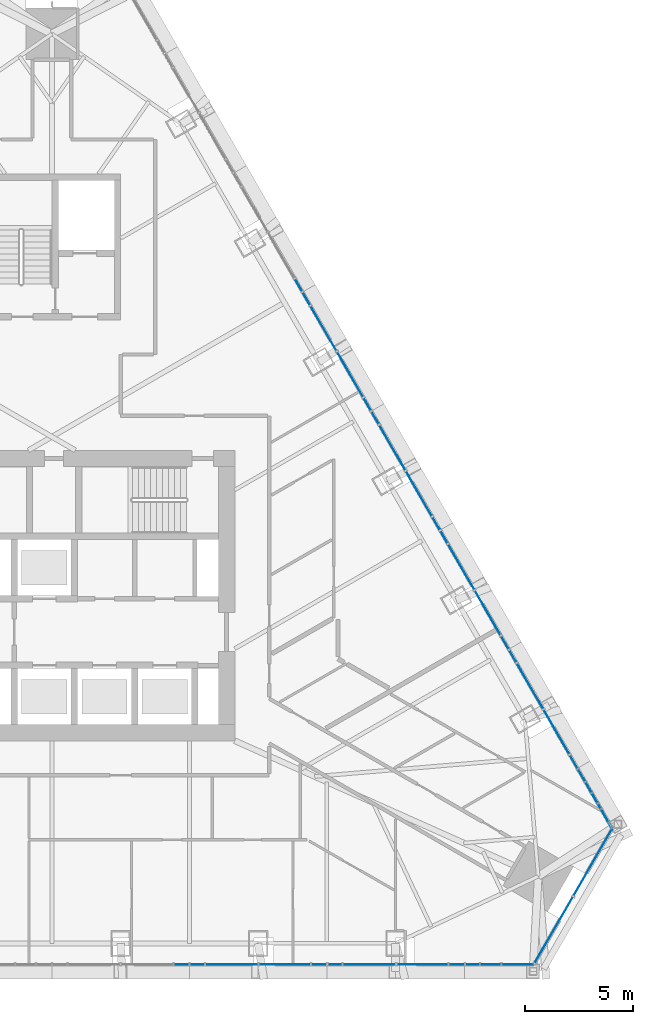
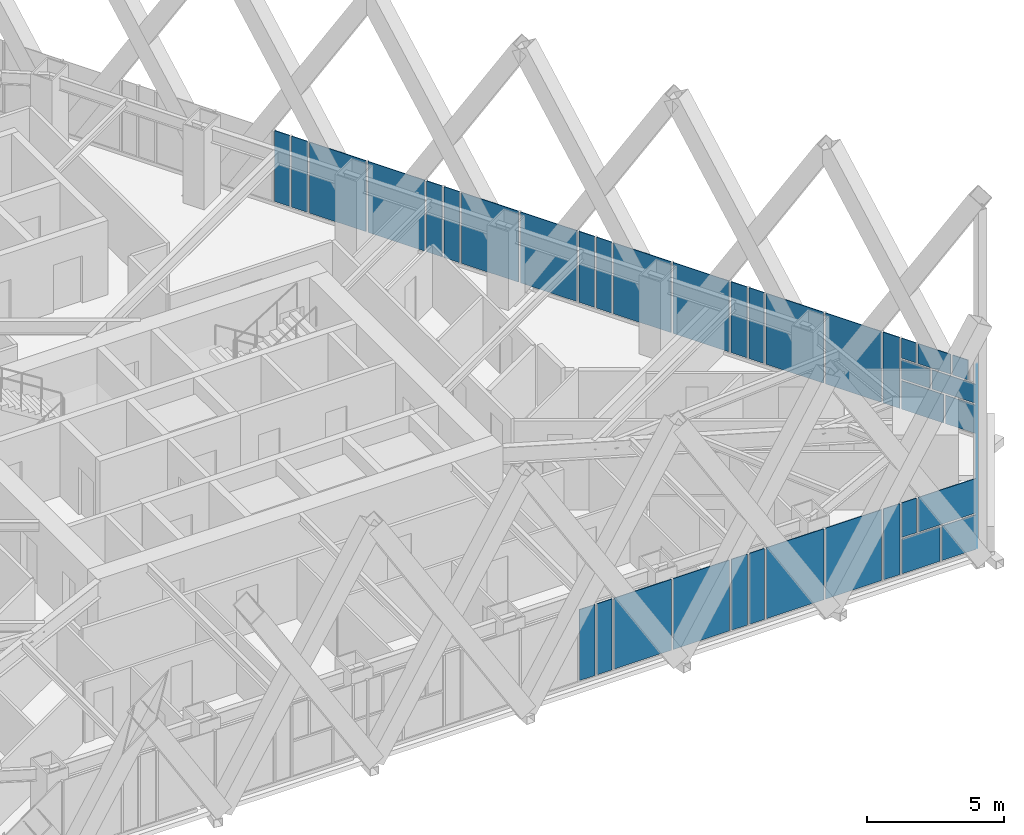
# One storey, part 12 of 21: 39 plates, 3 elements without a shape of their own.
"""IFC4 building model written with IfcOpenShell, lengths in metres."""

from ifc_helpers import new_model, si_unit, direction, frame, origin, place, context, subcontext, project, spatial, polyline, outline, extrude, material, layer, layer_set, type_object, element, aggregate, save


model = new_model("IFC4")

# Units and contexts
model_context = context("Model", 3, precision=1e-05, world=origin(), true_north=direction((0.0, 1.0)))
body_context = subcontext(model_context, "Body", "Model", "MODEL_VIEW")
ifc_project = project(units=[si_unit("LENGTHUNIT", "METRE"), si_unit("AREAUNIT", "SQUARE_METRE"), si_unit("VOLUMEUNIT", "CUBIC_METRE"), si_unit("PLANEANGLEUNIT", "RADIAN"), si_unit("MASSUNIT", "GRAM", prefix="KILO")], contexts=[model_context])

# Site, building, storey
site_placement = place(None, origin())
site = spatial("IfcSite", under=ifc_project, at=site_placement, CompositionType="ELEMENT")
building_placement = place(site_placement, origin())
building = spatial("IfcBuilding", under=site, at=building_placement, Name="Firuza Gate Tower and Library", CompositionType="ELEMENT")
storey_placement = place(building_placement, frame((0.0, 0.0, 281.10009765625)))
storey = spatial("IfcBuildingStorey", under=building, at=storey_placement, Name="L67", CompositionType="ELEMENT", Elevation=281.10009765625)

# Curtain wall, plates
ifc_material_1 = material(Name="Aluminium 6063-T6", Category="aluminium")
ifc_layer_1 = layer(ifc_material_1, 0.14990234375)
ifc_layer_set_1 = layer_set([ifc_layer_1], Name="Corner curtain wall, chamfers")
curtain_wall_type_1 = type_object("IfcCurtainWallType", Name="Corner curtain wall, chamfers", PredefinedType="NOTDEFINED", material=ifc_layer_set_1)
placement = place(storey_placement, origin())
curtain_wall_1 = element("IfcCurtainWall", 1, at=placement, inside=storey, type_object=curtain_wall_type_1, Name="CW4 L67 SE corner", PredefinedType="NOTDEFINED")
ifc_material_2 = material(Name="Fritted glass", Category="glass")
ifc_layer_2 = layer(ifc_material_2, 0.030029296875)
ifc_layer_set_2 = layer_set([ifc_layer_2], Name="Fritted glass unit, corners")
plate_type_1 = type_object("IfcPlateType", Name="Fritted glass unit, corners", PredefinedType="CURTAIN_PANEL", material=ifc_layer_set_2)
plate_1_placement = place(storey_placement, frame((97.43896484375, 57.884033203125, 0.14990234375), z_axis=(0.866016723041, -0.500015035186, 0.0), x_axis=(0.500015035186, 0.866016723041, 0.0)))
plate_1 = element("IfcPlate", 2, at=plate_1_placement, type_object=plate_type_1, Name="Glass unit", PredefinedType="CURTAIN_PANEL", context=body_context, shape_type="SweptSolid", body=[
    extrude(outline(polyline([(0.0, 0.0), (3.5633694106530625, 0.0), (3.5633694106530625, 3.14990234375), (0.0, 3.14990234375), (0.0, 0.0)])), origin(), (0.0, 0.0, -1.0), 0.030029296875),
])
plate_2_placement = place(storey_placement, frame((99.260498046875, 61.039306640625, 0.14990234375), z_axis=(0.866016723041, -0.500015035186, 0.0), x_axis=(0.500015035186, 0.866016723041, 0.0)))
plate_2 = element("IfcPlate", 3, at=plate_2_placement, type_object=plate_type_1, Name="Glass unit", PredefinedType="CURTAIN_PANEL", context=body_context, shape_type="SweptSolid", body=[
    extrude(outline(polyline([(0.0, 0.0), (3.5633694106530625, 0.0), (3.5633694106530625, 3.14990234375), (0.0, 3.14990234375), (0.0, 0.0)])), origin(), (0.0, 0.0, -1.0), 0.030029296875),
])
aggregate(curtain_wall_1, [plate_1, plate_2])

ifc_material_3 = material(Name="Aluminium 6063-T6", Category="aluminium")
ifc_layer_3 = layer(ifc_material_3, 0.14990234375)
ifc_layer_set_3 = layer_set([ifc_layer_3], Name="Unitised curtain wall, residences")
curtain_wall_type_2 = type_object("IfcCurtainWallType", Name="Unitised curtain wall, residences", PredefinedType="NOTDEFINED", material=ifc_layer_set_3)
curtain_wall_2 = element("IfcCurtainWall", 4, at=placement, inside=storey, type_object=curtain_wall_type_2, Name="CW3 L67 S face", PredefinedType="NOTDEFINED")
ifc_material_4 = material(Name="Fritted glass", Category="glass")
ifc_layer_4 = layer(ifc_material_4, 0.030029296875)
ifc_layer_set_4 = layer_set([ifc_layer_4], Name="Fritted glass unit, residences")
plate_type_2 = type_object("IfcPlateType", Name="Fritted glass unit, residences", PredefinedType="CURTAIN_PANEL", material=ifc_layer_set_4)
plate_3_placement = place(storey_placement, frame((80.697509765625, 57.842041015625, 0.14990234375), z_axis=(0.0, -1.0, 0.0), x_axis=(1.0, 0.0, 0.0)))
plate_3 = element("IfcPlate", 5, at=plate_3_placement, type_object=plate_type_2, Name="Glass unit", PredefinedType="CURTAIN_PANEL", context=body_context, shape_type="SweptSolid", body=[
    extrude(outline(polyline([(0.0, 0.0), (0.664306640625, 0.0), (0.664306640625, 3.14990234375), (0.0, 3.14990234375), (0.0, 0.0)])), origin(), (0.0, 0.0, -1.0), 0.030029296875),
])
plate_4_placement = place(storey_placement, frame((81.441650390625, 57.842041015625, 0.14990234375), z_axis=(0.0, -1.0, 0.0), x_axis=(1.0, 0.0, 0.0)))
plate_4 = element("IfcPlate", 6, at=plate_4_placement, type_object=plate_type_2, Name="Glass unit", PredefinedType="CURTAIN_PANEL", context=body_context, shape_type="SweptSolid", body=[
    extrude(outline(polyline([(0.0, 0.0), (0.6396484375, 0.0), (0.6396484375, 3.14990234375), (0.0, 3.14990234375), (0.0, 0.0)])), origin(), (0.0, 0.0, -1.0), 0.030029296875),
])
plate_5_placement = place(storey_placement, frame((87.086669921875, 57.842041015625, 0.14990234375), z_axis=(0.0, -1.0, 0.0), x_axis=(1.0, 0.0, 0.0)))
plate_5 = element("IfcPlate", 7, at=plate_5_placement, type_object=plate_type_2, Name="Glass unit", PredefinedType="CURTAIN_PANEL", context=body_context, shape_type="SweptSolid", body=[
    extrude(outline(polyline([(0.0, 0.0), (0.6767578125, 0.0), (0.6767578125, 3.14990234375), (0.0, 3.14990234375), (0.0, 0.0)])), origin(), (0.0, 0.0, -1.0), 0.030029296875),
])
plate_6_placement = place(storey_placement, frame((87.843505859375, 57.842041015625, 0.14990234375), z_axis=(0.0, -1.0, 0.0), x_axis=(1.0, 0.0, 0.0)))
plate_6 = element("IfcPlate", 8, at=plate_6_placement, type_object=plate_type_2, Name="Glass unit", PredefinedType="CURTAIN_PANEL", context=body_context, shape_type="SweptSolid", body=[
    extrude(outline(polyline([(0.0, 0.0), (0.626953125, 0.0), (0.626953125, 3.14990234375), (0.0, 3.14990234375), (0.0, 0.0)])), origin(), (0.0, 0.0, -1.0), 0.030029296875),
])
plate_7_placement = place(storey_placement, frame((93.47607421875, 57.842041015625, 0.14990234375), z_axis=(0.0, -1.0, 0.0), x_axis=(1.0, 0.0, 0.0)))
plate_7 = element("IfcPlate", 9, at=plate_7_placement, type_object=plate_type_2, Name="Glass unit", PredefinedType="CURTAIN_PANEL", context=body_context, shape_type="SweptSolid", body=[
    extrude(outline(polyline([(0.0, 0.0), (0.68896484375, 0.0), (0.68896484375, 3.14990234375), (0.0, 3.14990234375), (0.0, 0.0)])), origin(), (0.0, 0.0, -1.0), 0.030029296875),
])
plate_8_placement = place(storey_placement, frame((94.2451171875, 57.842041015625, 0.14990234375), z_axis=(0.0, -1.0, 0.0), x_axis=(1.0, 0.0, 0.0)))
plate_8 = element("IfcPlate", 10, at=plate_8_placement, type_object=plate_type_2, Name="Glass unit", PredefinedType="CURTAIN_PANEL", context=body_context, shape_type="SweptSolid", body=[
    extrude(outline(polyline([(0.0, 0.0), (1.597412109375, 0.0), (1.597412109375, 1.534912109375), (0.0, 1.534912109375), (0.0, 0.0)])), origin(), (0.0, 0.0, -1.0), 0.030029296875),
])
plate_9_placement = place(storey_placement, frame((94.2451171875, 57.842041015625, 1.764892578125), z_axis=(0.0, -1.0, 0.0), x_axis=(1.0, 0.0, 0.0)))
plate_9 = element("IfcPlate", 11, at=plate_9_placement, type_object=plate_type_2, Name="Glass unit", PredefinedType="CURTAIN_PANEL", context=body_context, shape_type="SweptSolid", body=[
    extrude(outline(polyline([(0.0, 0.0), (0.61474609375, 0.0), (0.61474609375, 1.534912109375), (0.0, 1.534912109375), (0.0, 0.0)])), origin(), (0.0, 0.0, -1.0), 0.030029296875),
])

curtain_wall_3 = element("IfcCurtainWall", 12, at=placement, inside=storey, type_object=curtain_wall_type_2, Name="CW3 L67 E face", PredefinedType="NOTDEFINED")
plate_10_placement = place(storey_placement, frame((100.3642578125, 65.3837890625, 0.14990234375), z_axis=(0.866072721334, 0.499918034643, 0.0), x_axis=(-0.499918034643, 0.866072721334, 0.0)))
plate_10 = element("IfcPlate", 13, at=plate_10_placement, type_object=plate_type_2, Name="Glass unit", PredefinedType="CURTAIN_PANEL", context=body_context, shape_type="SweptSolid", body=[
    extrude(outline(polyline([(0.0, 0.0), (1.76493776500763, 0.0), (1.76493776500763, 1.260009765625), (0.0, 1.260009765625), (0.0, 0.0)])), origin(), (0.0, 0.0, -1.0), 0.030029296875),
])
plate_11_placement = place(storey_placement, frame((100.082763671875, 65.871337890625, 1.489990234375), z_axis=(0.866097652278, 0.499874841054, 0.0), x_axis=(-0.499874841054, 0.866097652278, 0.0)))
plate_11 = element("IfcPlate", 14, at=plate_11_placement, type_object=plate_type_2, Name="Glass unit", PredefinedType="CURTAIN_PANEL", context=body_context, shape_type="SweptSolid", body=[
    extrude(outline(polyline([(0.0, 0.0), (1.2019610286002764, 0.0), (1.2019610286002764, 0.844970703125), (0.0, 0.844970703125), (0.0, 0.0)])), origin(), (0.0, 0.0, -1.0), 0.030029296875),
])
plate_12_placement = place(storey_placement, frame((100.876708984375, 64.496337890625, 2.414794921875), z_axis=(0.866028486751, 0.499994660107, 0.0), x_axis=(-0.499994660107, 0.866028486751, 0.0)))
plate_12 = element("IfcPlate", 15, at=plate_12_placement, type_object=plate_type_2, Name="Glass unit", PredefinedType="CURTAIN_PANEL", context=body_context, shape_type="SweptSolid", body=[
    extrude(outline(polyline([(0.0, 0.0), (0.6469795658534333, 0.0), (0.6469795658534333, 0.885009765625), (0.0, 0.885009765625), (0.0, 0.0)])), origin(), (0.0, 0.0, -1.0), 0.030029296875),
])
plate_13_placement = place(storey_placement, frame((99.789306640625, 66.3798828125, 2.414794921875), z_axis=(0.866059952115, 0.49994015576, 0.0), x_axis=(-0.49994015576, 0.866059952115, 0.0)))
plate_13 = element("IfcPlate", 16, at=plate_13_placement, type_object=plate_type_2, Name="Glass unit", PredefinedType="CURTAIN_PANEL", context=body_context, shape_type="SweptSolid", body=[
    extrude(outline(polyline([(0.0, 0.0), (0.6148196805825695, 0.0), (0.6148196805825695, 0.885009765625), (0.0, 0.885009765625), (0.0, 0.0)])), origin(), (0.0, 0.0, -1.0), 0.030029296875),
])
plate_14_placement = place(storey_placement, frame((99.44189453125, 66.9814453125, 0.14990234375), z_axis=(0.866032163869, 0.499988291006, 0.0), x_axis=(-0.499988291006, 0.866032163869, 0.0)))
plate_14 = element("IfcPlate", 17, at=plate_14_placement, type_object=plate_type_2, Name="Glass unit", PredefinedType="CURTAIN_PANEL", context=body_context, shape_type="SweptSolid", body=[
    extrude(outline(polyline([(0.0, 0.0), (0.6889809782976328, 0.0), (0.6889809782976328, 3.14990234375), (0.0, 3.14990234375), (0.0, 0.0)])), origin(), (0.0, 0.0, -1.0), 0.030029296875),
])
plate_15_placement = place(storey_placement, frame((96.594482421875, 71.9130859375, 0.14990234375), z_axis=(0.866127254354, 0.49982354813, 0.0), x_axis=(-0.49982354813, 0.866127254354, 0.0)))
plate_15 = element("IfcPlate", 18, at=plate_15_placement, type_object=plate_type_2, Name="Glass unit", PredefinedType="CURTAIN_PANEL", context=body_context, shape_type="SweptSolid", body=[
    extrude(outline(polyline([(0.0, 0.0), (0.6271744572110576, 0.0), (0.6271744572110576, 3.14990234375), (0.0, 3.14990234375), (0.0, 0.0)])), origin(), (0.0, 0.0, -1.0), 0.030029296875),
])
plate_16_placement = place(storey_placement, frame((96.240966796875, 72.525634765625, 0.14990234375), z_axis=(0.865969252911, 0.500097243556, 0.0), x_axis=(-0.500097243556, 0.865969252911, 0.0)))
plate_16 = element("IfcPlate", 19, at=plate_16_placement, type_object=plate_type_2, Name="Glass unit", PredefinedType="CURTAIN_PANEL", context=body_context, shape_type="SweptSolid", body=[
    extrude(outline(polyline([(0.0, 0.0), (0.6766262174208122, 0.0), (0.6766262174208122, 3.14990234375), (0.0, 3.14990234375), (0.0, 0.0)])), origin(), (0.0, 0.0, -1.0), 0.030029296875),
])
plate_17_placement = place(storey_placement, frame((93.39990234375, 77.446533203125, 0.14990234375), z_axis=(0.865931220513, 0.500163094741, 0.0), x_axis=(-0.500163094741, 0.865931220513, 0.0)))
plate_17 = element("IfcPlate", 20, at=plate_17_placement, type_object=plate_type_2, Name="Glass unit", PredefinedType="CURTAIN_PANEL", context=body_context, shape_type="SweptSolid", body=[
    extrude(outline(polyline([(0.0, 0.0), (0.6394398589438859, 0.0), (0.6394398589438859, 3.14990234375), (0.0, 3.14990234375), (0.0, 0.0)])), origin(), (0.0, 0.0, -1.0), 0.030029296875),
])
plate_18_placement = place(storey_placement, frame((93.0400390625, 78.069580078125, 0.14990234375), z_axis=(0.866063163075, 0.499934593286, 0.0), x_axis=(-0.499934593286, 0.866063163075, 0.0)))
plate_18 = element("IfcPlate", 21, at=plate_18_placement, type_object=plate_type_2, Name="Glass unit", PredefinedType="CURTAIN_PANEL", context=body_context, shape_type="SweptSolid", body=[
    extrude(outline(polyline([(0.0, 0.0), (0.6641493796568172, 0.0), (0.6641493796568172, 3.14990234375), (0.0, 3.14990234375), (0.0, 0.0)])), origin(), (0.0, 0.0, -1.0), 0.030029296875),
])
plate_19_placement = place(storey_placement, frame((90.205322265625, 82.979736328125, 0.14990234375), z_axis=(0.866092063448, 0.499884524299, 0.0), x_axis=(-0.499884524299, 0.866092063448, 0.0)))
plate_19 = element("IfcPlate", 22, at=plate_19_placement, type_object=plate_type_2, Name="Glass unit", PredefinedType="CURTAIN_PANEL", context=body_context, shape_type="SweptSolid", body=[
    extrude(outline(polyline([(0.0, 0.0), (0.6520060504620891, 0.0), (0.6520060504620891, 3.14990234375), (0.0, 3.14990234375), (0.0, 0.0)])), origin(), (0.0, 0.0, -1.0), 0.030029296875),
])
plate_20_placement = place(storey_placement, frame((89.83935546875, 83.61376953125, 0.14990234375), z_axis=(0.865998449813, 0.500046682742, 0.0), x_axis=(-0.500046682742, 0.865998449813, 0.0)))
plate_20 = element("IfcPlate", 23, at=plate_20_placement, type_object=plate_type_2, Name="Glass unit", PredefinedType="CURTAIN_PANEL", context=body_context, shape_type="SweptSolid", body=[
    extrude(outline(polyline([(0.0, 0.0), (0.651794613630004, 0.0), (0.651794613630004, 3.14990234375), (0.0, 3.14990234375), (0.0, 0.0)])), origin(), (0.0, 0.0, -1.0), 0.030029296875),
])
plate_21_placement = place(storey_placement, frame((87.010498046875, 88.51318359375, 0.14990234375), z_axis=(0.866063163075, 0.499934593286, 0.0), x_axis=(-0.499934593286, 0.866063163075, 0.0)))
plate_21 = element("IfcPlate", 24, at=plate_21_placement, type_object=plate_type_2, Name="Glass unit", PredefinedType="CURTAIN_PANEL", context=body_context, shape_type="SweptSolid", body=[
    extrude(outline(polyline([(0.0, 0.0), (0.6641493796568172, 0.0), (0.6641493796568172, 3.14990234375), (0.0, 3.14990234375), (0.0, 0.0)])), origin(), (0.0, 0.0, -1.0), 0.030029296875),
])
plate_22_placement = place(storey_placement, frame((86.638427734375, 89.15771484375, 0.14990234375), z_axis=(0.865931220513, 0.500163094741, 0.0), x_axis=(-0.500163094741, 0.865931220513, 0.0)))
plate_22 = element("IfcPlate", 25, at=plate_22_placement, type_object=plate_type_2, Name="Glass unit", PredefinedType="CURTAIN_PANEL", context=body_context, shape_type="SweptSolid", body=[
    extrude(outline(polyline([(0.0, 0.0), (0.6394398589438859, 0.0), (0.6394398589438859, 3.14990234375), (0.0, 3.14990234375), (0.0, 0.0)])), origin(), (0.0, 0.0, -1.0), 0.030029296875),
])

# Plate
ifc_material_5 = material(Name="Glazed ceramic tile")
ifc_layer_5 = layer(ifc_material_5, 0.030029296875)
ifc_layer_set_5 = layer_set([ifc_layer_5], Name="Opaque ceramic panel, residences")
plate_type_3 = type_object("IfcPlateType", Name="Opaque ceramic panel, residences", PredefinedType="CURTAIN_PANEL", material=ifc_layer_set_5)
plate_23_placement = place(storey_placement, frame((82.1611328125, 57.842041015625, 0.14990234375), z_axis=(0.0, -1.0, 0.0), x_axis=(1.0, 0.0, 0.0)))
plate_23 = element("IfcPlate", 26, at=plate_23_placement, type_object=plate_type_3, Name="Opaque ceramic panel", PredefinedType="CURTAIN_PANEL", context=body_context, shape_type="SweptSolid", body=[
    extrude(outline(polyline([(0.0, 0.0), (2.4013671875, 0.0), (2.4013671875, 3.14990234375), (0.0, 3.14990234375), (0.0, 0.0)])), origin(), (0.0, 0.0, -1.0), 0.030029296875),
])

plate_24_placement = place(storey_placement, frame((84.642578125, 57.842041015625, 0.14990234375), z_axis=(0.0, -1.0, 0.0), x_axis=(1.0, 0.0, 0.0)))
plate_24 = element("IfcPlate", 27, at=plate_24_placement, type_object=plate_type_3, Name="Opaque ceramic panel", PredefinedType="CURTAIN_PANEL", context=body_context, shape_type="SweptSolid", body=[
    extrude(outline(polyline([(0.0, 0.0), (2.3642578125, 0.0), (2.3642578125, 3.14990234375), (0.0, 3.14990234375), (0.0, 0.0)])), origin(), (0.0, 0.0, -1.0), 0.030029296875),
])

plate_25_placement = place(storey_placement, frame((88.550537109375, 57.842041015625, 0.14990234375), z_axis=(0.0, -1.0, 0.0), x_axis=(1.0, 0.0, 0.0)))
plate_25 = element("IfcPlate", 28, at=plate_25_placement, type_object=plate_type_3, Name="Opaque ceramic panel", PredefinedType="CURTAIN_PANEL", context=body_context, shape_type="SweptSolid", body=[
    extrude(outline(polyline([(0.0, 0.0), (2.413818359375, 0.0), (2.413818359375, 3.14990234375), (0.0, 3.14990234375), (0.0, 0.0)])), origin(), (0.0, 0.0, -1.0), 0.030029296875),
])

plate_26_placement = place(storey_placement, frame((91.044189453125, 57.842041015625, 0.14990234375), z_axis=(0.0, -1.0, 0.0), x_axis=(1.0, 0.0, 0.0)))
plate_26 = element("IfcPlate", 29, at=plate_26_placement, type_object=plate_type_3, Name="Opaque ceramic panel", PredefinedType="CURTAIN_PANEL", context=body_context, shape_type="SweptSolid", body=[
    extrude(outline(polyline([(0.0, 0.0), (2.351806640625, 0.0), (2.351806640625, 3.14990234375), (0.0, 3.14990234375), (0.0, 0.0)])), origin(), (0.0, 0.0, -1.0), 0.030029296875),
])

plate_27_placement = place(storey_placement, frame((95.922607421875, 57.842041015625, 0.14990234375), z_axis=(0.0, -1.0, 0.0), x_axis=(1.0, 0.0, 0.0)))
plate_27 = element("IfcPlate", 30, at=plate_27_placement, type_object=plate_type_3, Name="Opaque ceramic panel", PredefinedType="CURTAIN_PANEL", context=body_context, shape_type="SweptSolid", body=[
    extrude(outline(polyline([(0.0, 0.0), (1.443359375, 0.0), (1.443359375, 1.534912109375), (0.0, 1.534912109375), (0.0, 0.0)])), origin(), (0.0, 0.0, -1.0), 0.030029296875),
])

plate_28_placement = place(storey_placement, frame((94.93994140625, 57.842041015625, 1.764892578125), z_axis=(0.0, -1.0, 0.0), x_axis=(1.0, 0.0, 0.0)))
plate_28 = element("IfcPlate", 31, at=plate_28_placement, type_object=plate_type_3, Name="Opaque ceramic panel", PredefinedType="CURTAIN_PANEL", context=body_context, shape_type="SweptSolid", body=[
    extrude(outline(polyline([(0.0, 0.0), (2.426025390625, 0.0), (2.426025390625, 1.534912109375), (0.0, 1.534912109375), (0.0, 0.0)])), origin(), (0.0, 0.0, -1.0), 0.030029296875),
])

aggregate(curtain_wall_2, [plate_3, plate_4, plate_23, plate_24, plate_5, plate_6, plate_25, plate_26, plate_7, plate_8, plate_27, plate_9, plate_28])

plate_29_placement = place(storey_placement, frame((101.042236328125, 64.20947265625, 0.14990234375), z_axis=(0.866032638483, 0.499987468925, 0.0), x_axis=(-0.499987468925, 0.866032638483, 0.0)))
plate_29 = element("IfcPlate", 32, at=plate_29_placement, type_object=plate_type_3, Name="Opaque ceramic panel", PredefinedType="CURTAIN_PANEL", context=body_context, shape_type="SweptSolid", body=[
    extrude(outline(polyline([(0.0, 0.0), (1.275910883319205, 0.0), (1.275910883319205, 1.260009765625), (0.0, 1.260009765625), (0.0, 0.0)])), origin(), (0.0, 0.0, -1.0), 0.030029296875),
])

plate_30_placement = place(storey_placement, frame((101.042236328125, 64.20947265625, 1.489990234375), z_axis=(0.866028611999, 0.499994443168, 0.0), x_axis=(-0.499994443168, 0.866028611999, 0.0)))
plate_30 = element("IfcPlate", 33, at=plate_30_placement, type_object=plate_type_3, Name="Opaque ceramic panel", PredefinedType="CURTAIN_PANEL", context=body_context, shape_type="SweptSolid", body=[
    extrude(outline(polyline([(0.0, 0.0), (1.8388876242775747, 0.0), (1.8388876242775747, 0.8449707031250002), (0.0, 0.8449707031250002), (0.0, 0.0)])), origin(), (0.0, 0.0, -1.0), 0.030029296875),
])

plate_31_placement = place(storey_placement, frame((100.51318359375, 65.1259765625, 2.414794921875), z_axis=(0.86597157169, 0.500093228334, 0.0), x_axis=(-0.500093228334, 0.86597157169, 0.0)))
plate_31 = element("IfcPlate", 34, at=plate_31_placement, type_object=plate_type_3, Name="Opaque ceramic panel", PredefinedType="CURTAIN_PANEL", context=body_context, shape_type="SweptSolid", body=[
    extrude(outline(polyline([(0.0, 0.0), (1.367909006745505, 0.0), (1.367909006745505, 0.8850097656250002), (0.0, 0.8850097656250002), (0.0, 0.0)])), origin(), (0.0, 0.0, -1.0), 0.030029296875),
])

plate_32_placement = place(storey_placement, frame((99.057373046875, 67.6474609375, 0.14990234375), z_axis=(0.866017910757, 0.500012978079, 0.0), x_axis=(-0.500012978079, 0.866017910757, 0.0)))
plate_32 = element("IfcPlate", 35, at=plate_32_placement, type_object=plate_type_3, Name="Opaque ceramic panel", PredefinedType="CURTAIN_PANEL", context=body_context, shape_type="SweptSolid", body=[
    extrude(outline(polyline([(0.0, 0.0), (2.351989732630695, 0.0), (2.351989732630695, 3.14990234375), (0.0, 3.14990234375), (0.0, 0.0)])), origin(), (0.0, 0.0, -1.0), 0.030029296875),
])

plate_33_placement = place(storey_placement, frame((97.84130859375, 69.753662109375, 0.14990234375), z_axis=(0.866037360815, 0.499979289244, 0.0), x_axis=(-0.499979289244, 0.866037360815, 0.0)))
plate_33 = element("IfcPlate", 36, at=plate_33_placement, type_object=plate_type_3, Name="Opaque ceramic panel", PredefinedType="CURTAIN_PANEL", context=body_context, shape_type="SweptSolid", body=[
    extrude(outline(polyline([(0.0, 0.0), (2.413674196784525, 0.0), (2.413674196784525, 3.14990234375), (0.0, 3.14990234375), (0.0, 0.0)])), origin(), (0.0, 0.0, -1.0), 0.030029296875),
])

plate_34_placement = place(storey_placement, frame((95.862548828125, 73.180908203125, 0.14990234375), z_axis=(0.866054888023, 0.499948928323, 0.0), x_axis=(-0.499948928323, 0.866054888023, 0.0)))
plate_34 = element("IfcPlate", 37, at=plate_34_placement, type_object=plate_type_3, Name="Opaque ceramic panel", PredefinedType="CURTAIN_PANEL", context=body_context, shape_type="SweptSolid", body=[
    extrude(outline(polyline([(0.0, 0.0), (2.36401099926105, 0.0), (2.36401099926105, 3.14990234375), (0.0, 3.14990234375), (0.0, 0.0)])), origin(), (0.0, 0.0, -1.0), 0.030029296875),
])

plate_35_placement = place(storey_placement, frame((94.640625, 75.297607421875, 0.14990234375), z_axis=(0.866019662671, 0.500009943768, 0.0), x_axis=(-0.500009943768, 0.866019662671, 0.0)))
plate_35 = element("IfcPlate", 38, at=plate_35_placement, type_object=plate_type_3, Name="Opaque ceramic panel", PredefinedType="CURTAIN_PANEL", context=body_context, shape_type="SweptSolid", body=[
    extrude(outline(polyline([(0.0, 0.0), (2.4013194311729054, 0.0), (2.4013194311729054, 3.14990234375), (0.0, 3.14990234375), (0.0, 0.0)])), origin(), (0.0, 0.0, -1.0), 0.030029296875),
])

plate_36_placement = place(storey_placement, frame((92.66796875, 78.714111328125, 0.14990234375), z_axis=(0.866053875007, 0.499950683153, 0.0), x_axis=(-0.499950683153, 0.866053875007, 0.0)))
plate_36 = element("IfcPlate", 39, at=plate_36_placement, type_object=plate_type_3, Name="Opaque ceramic panel", PredefinedType="CURTAIN_PANEL", context=body_context, shape_type="SweptSolid", body=[
    extrude(outline(polyline([(0.0, 0.0), (2.376699266379561, 0.0), (2.376699266379561, 3.14990234375), (0.0, 3.14990234375), (0.0, 0.0)])), origin(), (0.0, 0.0, -1.0), 0.030029296875),
])

plate_37_placement = place(storey_placement, frame((91.439697265625, 80.841552734375, 0.14990234375), z_axis=(0.86602732995, 0.499996663769, 0.0), x_axis=(-0.499996663769, 0.86602732995, 0.0)))
plate_37 = element("IfcPlate", 40, at=plate_37_placement, type_object=plate_type_3, Name="Opaque ceramic panel", PredefinedType="CURTAIN_PANEL", context=body_context, shape_type="SweptSolid", body=[
    extrude(outline(polyline([(0.0, 0.0), (2.38917609793597, 0.0), (2.38917609793597, 3.14990234375), (0.0, 3.14990234375), (0.0, 0.0)])), origin(), (0.0, 0.0, -1.0), 0.030029296875),
])

plate_38_placement = place(storey_placement, frame((89.473388671875, 84.24755859375, 0.14990234375), z_axis=(0.86600178037, 0.500040914722, 0.0), x_axis=(-0.500040914722, 0.86600178037, 0.0)))
plate_38 = element("IfcPlate", 41, at=plate_38_placement, type_object=plate_type_3, Name="Opaque ceramic panel", PredefinedType="CURTAIN_PANEL", context=body_context, shape_type="SweptSolid", body=[
    extrude(outline(polyline([(0.0, 0.0), (2.3889646686010764, 0.0), (2.3889646686010764, 3.149902343750001), (0.0, 3.149902343750001), (0.0, 0.0)])), origin(), (0.0, 0.0, -1.0), 0.030029296875),
])

plate_39_placement = place(storey_placement, frame((88.23876953125, 86.3857421875, 0.14990234375), z_axis=(0.866028196007, 0.499995163697, 0.0), x_axis=(-0.499995163697, 0.866028196007, 0.0)))
plate_39 = element("IfcPlate", 42, at=plate_39_placement, type_object=plate_type_3, Name="Opaque ceramic panel", PredefinedType="CURTAIN_PANEL", context=body_context, shape_type="SweptSolid", body=[
    extrude(outline(polyline([(0.0, 0.0), (2.3764878305797374, 0.0), (2.3764878305797374, 3.14990234375), (0.0, 3.14990234375), (0.0, 0.0)])), origin(), (0.0, 0.0, -1.0), 0.030029296875),
])

aggregate(curtain_wall_3, [plate_29, plate_10, plate_30, plate_11, plate_12, plate_31, plate_13, plate_14, plate_32, plate_33, plate_15, plate_16, plate_34, plate_35, plate_17, plate_18, plate_36, plate_37, plate_19, plate_20, plate_38, plate_39, plate_21, plate_22])

save(model, "model.ifc")
